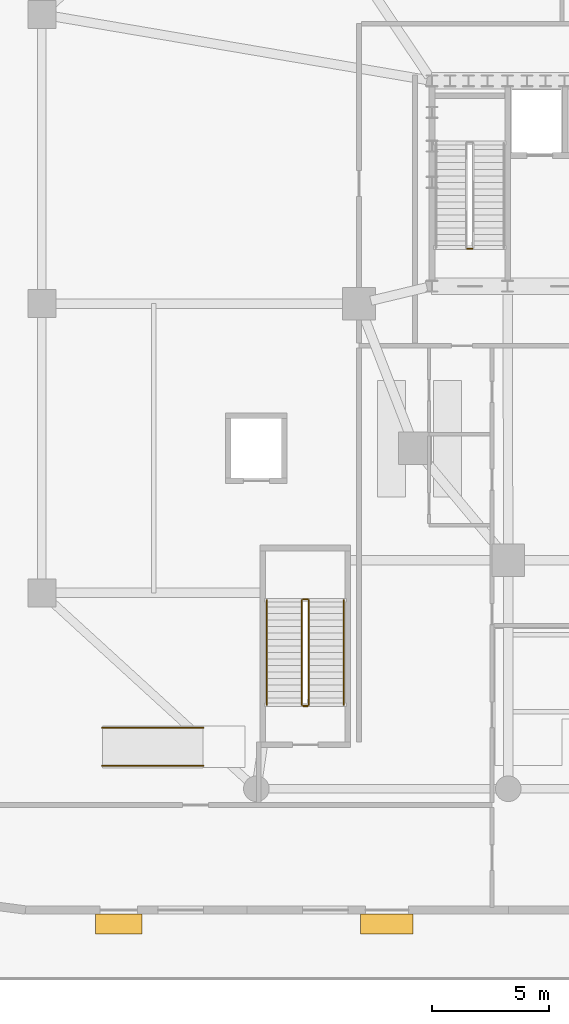
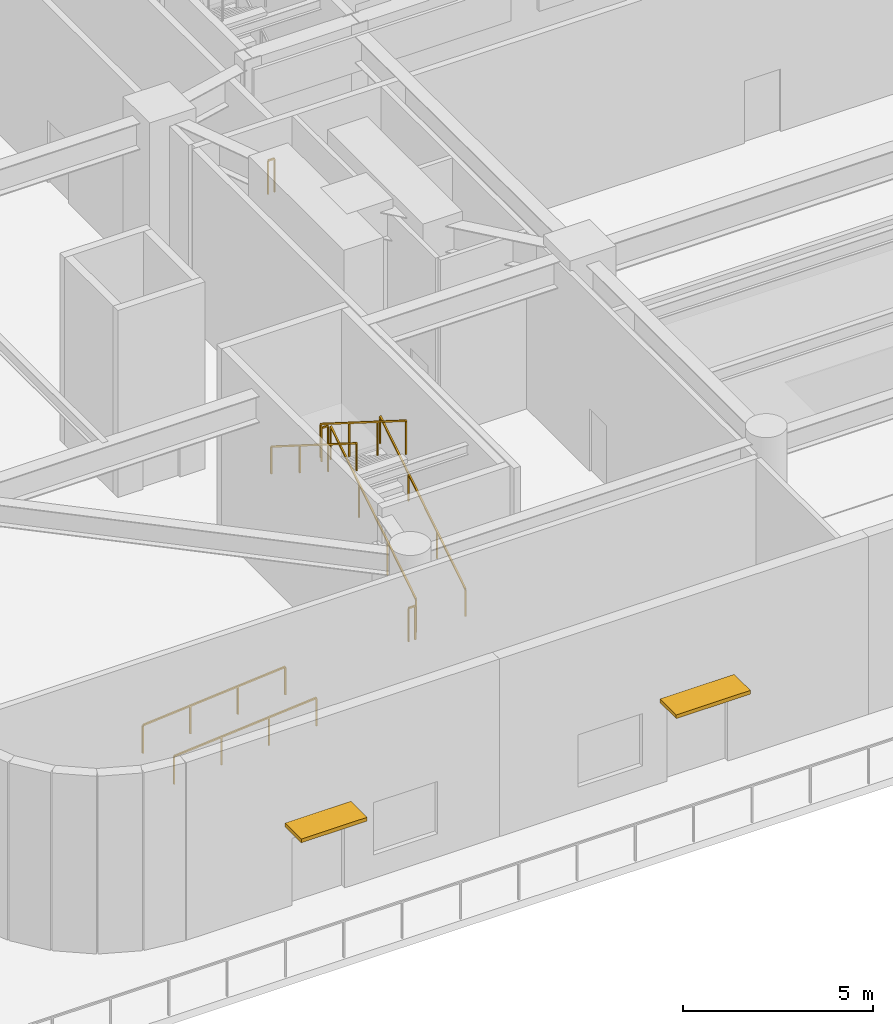
# One storey, part 13 of 21: 9 railings, 2 shading devices.
"""IFC4 building model written with IfcOpenShell, lengths in metres."""

from ifc_helpers import new_model, si_unit, direction, frame, origin, origin_2d, place, context, subcontext, project, spatial, rectangle, extrude, material, type_object, element, save


model = new_model("IFC4")

# Units and contexts
model_context = context("Model", 3, precision=1e-05, world=origin(), true_north=direction((0.0, 1.0)))
body_context = subcontext(model_context, "Body", "Model", "MODEL_VIEW")
ifc_project = project(units=[si_unit("LENGTHUNIT", "METRE"), si_unit("AREAUNIT", "SQUARE_METRE"), si_unit("VOLUMEUNIT", "CUBIC_METRE"), si_unit("PLANEANGLEUNIT", "RADIAN"), si_unit("MASSUNIT", "GRAM", prefix="KILO")], contexts=[model_context])

# Site, building, storey
site_placement = place(None, origin())
site = spatial("IfcSite", under=ifc_project, at=site_placement, CompositionType="ELEMENT")
building_placement = place(site_placement, origin())
building = spatial("IfcBuilding", under=site, at=building_placement, Name="Haldorwick Loom Tower", CompositionType="ELEMENT")
storey_placement = place(building_placement, origin())
storey = spatial("IfcBuildingStorey", under=building, at=storey_placement, Name="L00", CompositionType="ELEMENT", Elevation=0.0)

# Railings
ifc_material_1 = material(Name="Steel CSA G40.21 350W", Category="steel")
railing_type_1 = type_object("IfcRailingType", Name="ARC-RLG-GUARD112", PredefinedType="GUARDRAIL", material=ifc_material_1)
railing_1_placement = place(storey_placement, frame((23.64990234375, 28.35009765625, 0.0)))
element("IfcRailing", 1, at=railing_1_placement, inside=storey, type_object=railing_type_1, Name="L00 ST-01 stair guard 4", PredefinedType="GUARDRAIL", context=body_context, shape_type="SweptSolid", body=[
    extrude(rectangle(XDim=0.048095703125, YDim=0.048095703125, at=origin_2d()), frame((0.0, 0.0, 1.076171875), z_axis=(-1.0, 0.0, 0.0), x_axis=(0.0, -1.0, 0.0)), (0.0, 0.0, 1.0), 0.199951171875),
    extrude(rectangle(XDim=0.0419921875, YDim=0.0419921875, at=origin_2d()), origin(), (0.0, 0.0, 1.0), 1.052001953125),
    extrude(rectangle(XDim=0.0419921875, YDim=0.0419921875, at=origin_2d()), frame((-0.199951171875, 0.0, 0.0)), (0.0, 0.0, 1.0), 1.052001953125),
])
railing_2_placement = place(storey_placement, frame((16.64990234375, 8.800048828125, 0.176513671875)))
element("IfcRailing", 2, at=railing_2_placement, inside=storey, type_object=railing_type_1, Name="L00 ST-P1 stair guard 1", PredefinedType="GUARDRAIL", context=body_context, shape_type="SweptSolid", body=[
    extrude(rectangle(XDim=0.048095703125, YDim=0.048095703125, at=origin_2d()), frame((0.0, 0.0, 1.076171875), z_axis=(0.0, 0.845997938375, 0.533186166611), x_axis=(-1.0, 0.0, 0.0)), (0.0, 0.0, 1.0), 5.29541015625),
    extrude(rectangle(XDim=0.0419921875, YDim=0.0419921875, at=origin_2d()), origin(), (0.0, 0.0, 1.0), 1.052001953125),
    extrude(rectangle(XDim=0.0419921875, YDim=0.0419921875, at=origin_2d()), frame((0.0, 1.493408203125, 0.941162109375)), (0.0, 0.0, 1.0), 1.052001953125),
    extrude(rectangle(XDim=0.0419921875, YDim=0.0419921875, at=origin_2d()), frame((0.0, 2.986572265625, 1.88232421875)), (0.0, 0.0, 1.0), 1.052001953125),
    extrude(rectangle(XDim=0.0419921875, YDim=0.0419921875, at=origin_2d()), frame((0.0, 4.47998046875, 2.823486328125)), (0.0, 0.0, 1.0), 1.052001953125),
])
railing_3_placement = place(storey_placement, frame((16.60009765625, 13.330078125, 3.0)))
element("IfcRailing", 3, at=railing_3_placement, inside=storey, type_object=railing_type_1, Name="L00 ST-P1 stair guard 2", PredefinedType="GUARDRAIL", context=body_context, shape_type="SweptSolid", body=[
    extrude(rectangle(XDim=0.048095703125, YDim=0.048095703125, at=origin_2d()), frame((0.0, 0.0, 1.076171875), z_axis=(-1.0, 0.0, 0.0), x_axis=(0.0, -1.0, 0.0)), (0.0, 0.0, 1.0), 0.2001953125),
    extrude(rectangle(XDim=0.0419921875, YDim=0.0419921875, at=origin_2d()), origin(), (0.0, 0.0, 1.0), 1.052001953125),
    extrude(rectangle(XDim=0.0419921875, YDim=0.0419921875, at=origin_2d()), frame((-0.2001953125, 0.0, 0.0)), (0.0, 0.0, 1.0), 1.052001953125),
])
railing_4_placement = place(storey_placement, frame((16.35009765625, 13.280029296875, 3.176513671875)))
element("IfcRailing", 4, at=railing_4_placement, inside=storey, type_object=railing_type_1, Name="L00 ST-P1 stair guard 3", PredefinedType="GUARDRAIL", context=body_context, shape_type="SweptSolid", body=[
    extrude(rectangle(XDim=0.048095703125, YDim=0.048095703125, at=origin_2d()), frame((0.0, 0.0, 1.076171875), z_axis=(0.0, -0.845997938375, 0.533186166611), x_axis=(1.0, 0.0, 0.0)), (0.0, 0.0, 1.0), 5.29541015625),
    extrude(rectangle(XDim=0.0419921875, YDim=0.0419921875, at=origin_2d()), origin(), (0.0, 0.0, 1.0), 1.052001953125),
    extrude(rectangle(XDim=0.0419921875, YDim=0.0419921875, at=origin_2d()), frame((0.0, -1.493408203125, 0.941162109375)), (0.0, 0.0, 1.0), 1.052001953125),
    extrude(rectangle(XDim=0.0419921875, YDim=0.0419921875, at=origin_2d()), frame((0.0, -2.986572265625, 1.88232421875)), (0.0, 0.0, 1.0), 1.052001953125),
    extrude(rectangle(XDim=0.0419921875, YDim=0.0419921875, at=origin_2d()), frame((0.0, -4.47998046875, 2.823486328125)), (0.0, 0.0, 1.0), 1.052001953125),
])
railing_5_placement = place(storey_placement, frame((16.60009765625, 8.75, 0.0)))
element("IfcRailing", 5, at=railing_5_placement, inside=storey, type_object=railing_type_1, Name="L00 ST-P1 stair guard 4", PredefinedType="GUARDRAIL", context=body_context, shape_type="SweptSolid", body=[
    extrude(rectangle(XDim=0.048095703125, YDim=0.048095703125, at=origin_2d()), frame((0.0, 0.0, 1.076171875), z_axis=(-1.0, 0.0, 0.0), x_axis=(0.0, -1.0, 0.0)), (0.0, 0.0, 1.0), 0.2001953125),
    extrude(rectangle(XDim=0.0419921875, YDim=0.0419921875, at=origin_2d()), origin(), (0.0, 0.0, 1.0), 1.052001953125),
    extrude(rectangle(XDim=0.0419921875, YDim=0.0419921875, at=origin_2d()), frame((-0.2001953125, 0.0, 0.0)), (0.0, 0.0, 1.0), 1.052001953125),
])
railing_type_2 = type_object("IfcRailingType", Name="ARC-RLG-HAND092", PredefinedType="HANDRAIL", material=ifc_material_1)
railing_6_placement = place(storey_placement, frame((18.14990234375, 8.800048828125, 0.176513671875)))
element("IfcRailing", 6, at=railing_6_placement, inside=storey, type_object=railing_type_2, Name="L00 ST-P1 stair handrail 1", PredefinedType="HANDRAIL", context=body_context, shape_type="SweptSolid", body=[
    extrude(rectangle(XDim=0.048095703125, YDim=0.048095703125, at=origin_2d()), frame((0.0, 0.0, 0.8759765625), z_axis=(0.0, 0.845997938375, 0.533186166611), x_axis=(-1.0, 0.0, 0.0)), (0.0, 0.0, 1.0), 5.29541015625),
    extrude(rectangle(XDim=0.0419921875, YDim=0.0419921875, at=origin_2d()), origin(), (0.0, 0.0, 1.0), 0.851806640625),
    extrude(rectangle(XDim=0.0419921875, YDim=0.0419921875, at=origin_2d()), frame((0.0, 1.493408203125, 0.941162109375)), (0.0, 0.0, 1.0), 0.851806640625),
    extrude(rectangle(XDim=0.0419921875, YDim=0.0419921875, at=origin_2d()), frame((0.0, 2.986572265625, 1.88232421875)), (0.0, 0.0, 1.0), 0.851806640625),
    extrude(rectangle(XDim=0.0419921875, YDim=0.0419921875, at=origin_2d()), frame((0.0, 4.47998046875, 2.823486328125)), (0.0, 0.0, 1.0), 0.851806640625),
])
railing_7_placement = place(storey_placement, frame((14.85009765625, 13.280029296875, 3.176513671875)))
element("IfcRailing", 7, at=railing_7_placement, inside=storey, type_object=railing_type_2, Name="L00 ST-P1 stair handrail 2", PredefinedType="HANDRAIL", context=body_context, shape_type="SweptSolid", body=[
    extrude(rectangle(XDim=0.048095703125, YDim=0.048095703125, at=origin_2d()), frame((0.0, 0.0, 0.8759765625), z_axis=(0.0, -0.845997938375, 0.533186166611), x_axis=(1.0, 0.0, 0.0)), (0.0, 0.0, 1.0), 5.29541015625),
    extrude(rectangle(XDim=0.0419921875, YDim=0.0419921875, at=origin_2d()), origin(), (0.0, 0.0, 1.0), 0.851806640625),
    extrude(rectangle(XDim=0.0419921875, YDim=0.0419921875, at=origin_2d()), frame((0.0, -1.493408203125, 0.941162109375)), (0.0, 0.0, 1.0), 0.851806640625),
    extrude(rectangle(XDim=0.0419921875, YDim=0.0419921875, at=origin_2d()), frame((0.0, -2.986572265625, 1.88232421875)), (0.0, 0.0, 1.0), 0.851806640625),
    extrude(rectangle(XDim=0.0419921875, YDim=0.0419921875, at=origin_2d()), frame((0.0, -4.47998046875, 2.823486328125)), (0.0, 0.0, 1.0), 0.851806640625),
])
for number, where, name in (
    (8, (7.800048828125, 6.179931640625, 0.0), "RMP-01 Ramp Handrail 1"),
    (9, (7.800048828125, 7.820068359375, 0.0), "RMP-01 Ramp Handrail 2"),
):
    element("IfcRailing", number, at=place(storey_placement, frame(where)), inside=storey, type_object=railing_type_2, Name=name, PredefinedType="HANDRAIL", context=body_context, shape_type="SweptSolid", body=[
        extrude(rectangle(XDim=0.048095703125, YDim=0.048095703125, at=origin_2d()), frame((0.0, 0.0, 0.89599609375), z_axis=(0.996543815979, 0.0, 0.083068783756), x_axis=(0.0, 1.0, 0.0)), (0.0, 0.0, 1.0), 4.3349609375),
        extrude(rectangle(XDim=0.0419921875, YDim=0.0419921875, at=origin_2d()), origin(), (0.0, 0.0, 1.0), 0.871826171875),
        extrude(rectangle(XDim=0.0419921875, YDim=0.0419921875, at=origin_2d()), frame((1.43994140625, 0.0, 0.1201171875)), (0.0, 0.0, 1.0), 0.871826171875),
        extrude(rectangle(XDim=0.0419921875, YDim=0.0419921875, at=origin_2d()), frame((2.880126953125, 0.0, 0.239990234375)), (0.0, 0.0, 1.0), 0.871826171875),
        extrude(rectangle(XDim=0.0419921875, YDim=0.0419921875, at=origin_2d()), frame((4.320068359375, 0.0, 0.360107421875)), (0.0, 0.0, 1.0), 0.871826171875),
    ])

# Shading devices
ifc_material_2 = material(Name="Extruded Anodized Aluminium Weather Louvre", Category="aluminium")
shading_device_type_1 = type_object("IfcShadingDeviceType", Name="ARC-SHD-AWNING", PredefinedType="AWNING", material=ifc_material_2)
shading_device_1_placement = place(storey_placement, frame((20.0, -0.60009765625, 2.58984375), z_axis=(0.0, 0.0, 1.0), x_axis=(1.0, 0.0, 0.0)))
element("IfcShadingDevice", 10, at=shading_device_1_placement, inside=storey, type_object=shading_device_type_1, Name="L00 Entrance Sunshade Canopy EX-02", PredefinedType="AWNING", context=body_context, shape_type="SweptSolid", body=[
    extrude(rectangle(XDim=2.25, YDim=0.85009765625, at=origin_2d()), origin(), (0.0, 0.0, 1.0), 0.1201171875),
])
shading_device_type_2 = type_object("IfcShadingDeviceType", Name="ARC-SHD-AWNING2", PredefinedType="AWNING", material=ifc_material_2)
shading_device_2_placement = place(storey_placement, frame((8.5, -0.60009765625, 2.58984375), z_axis=(0.0, 0.0, 1.0), x_axis=(1.0, 0.0, 0.0)))
element("IfcShadingDevice", 11, at=shading_device_2_placement, inside=storey, type_object=shading_device_type_2, Name="L00 Entrance Sunshade Canopy EX-04", PredefinedType="AWNING", context=body_context, shape_type="SweptSolid", body=[
    extrude(rectangle(XDim=2.0, YDim=0.85009765625, at=origin_2d()), origin(), (0.0, 0.0, 1.0), 0.1201171875),
])

save(model, "model.ifc")
